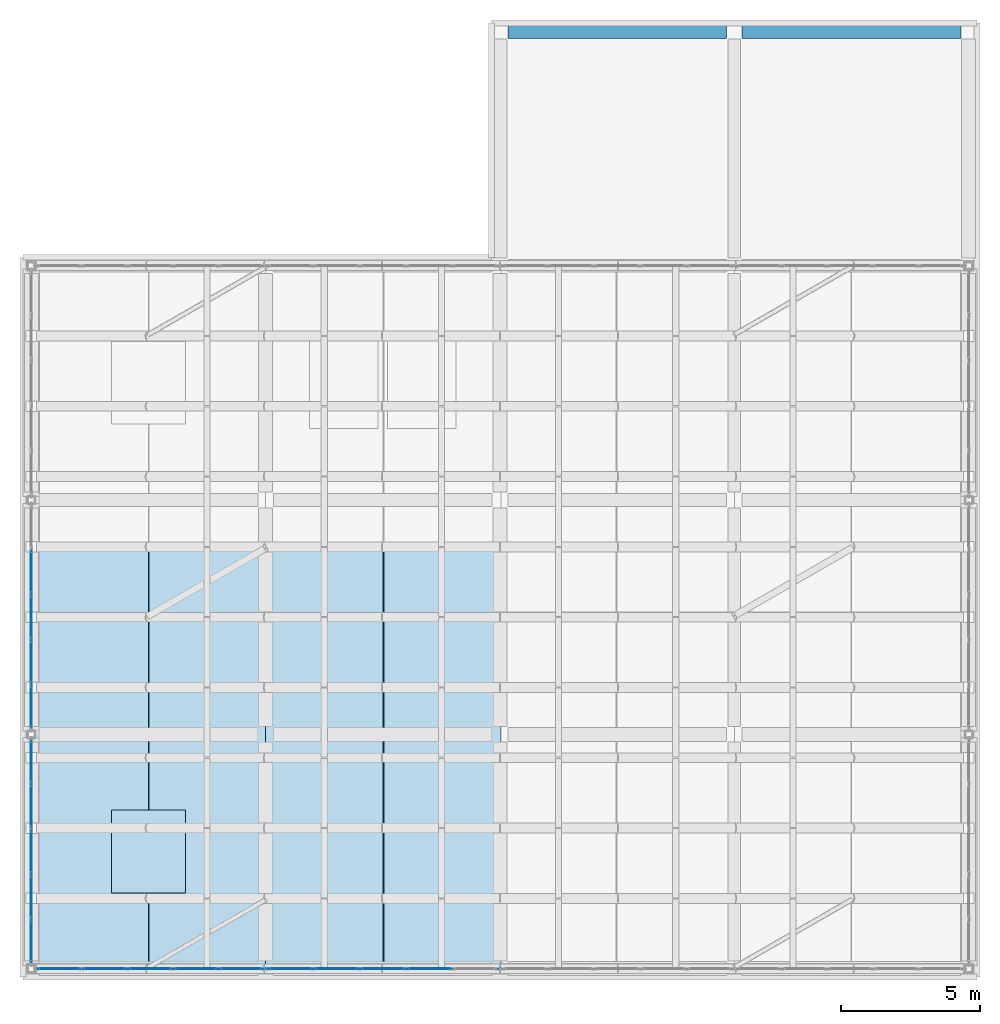
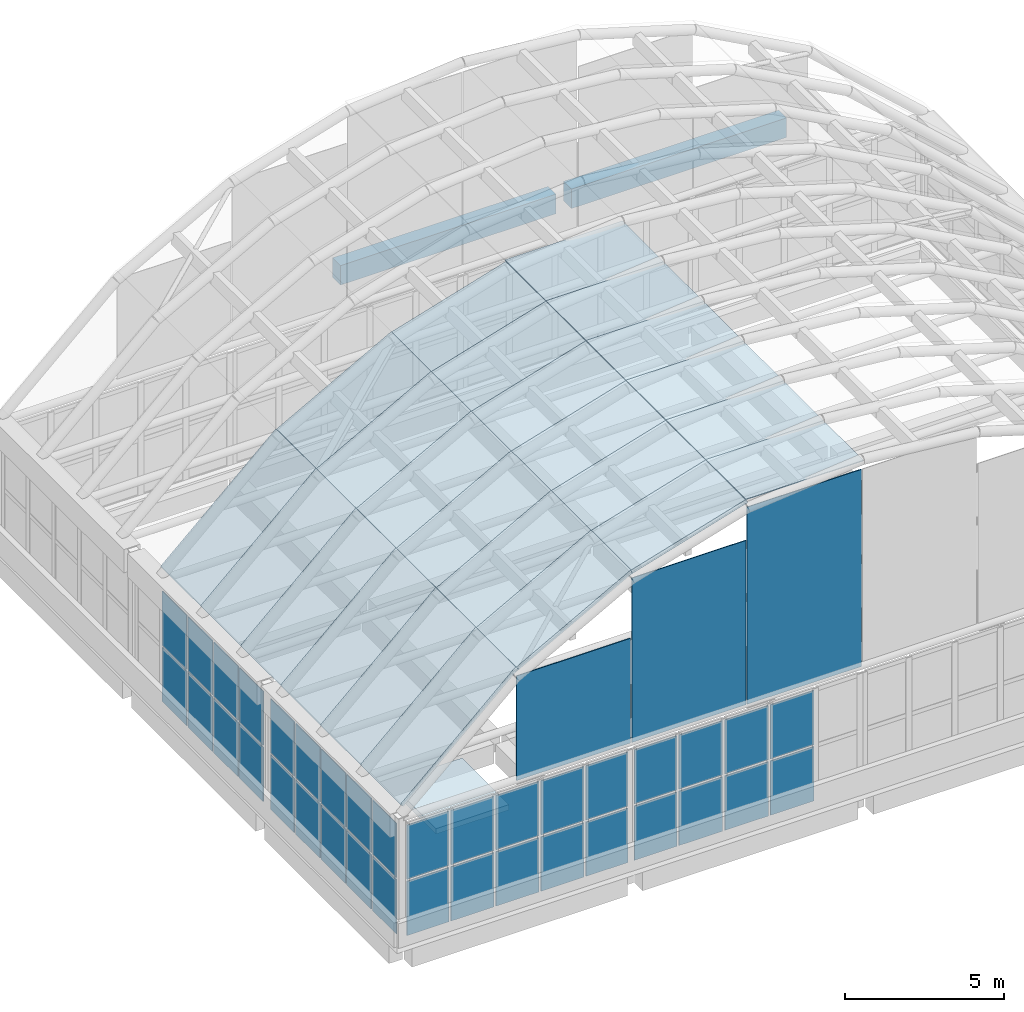
# One storey, part 22 of 26: 45 plates, 19 slabs, 2 beams, 4 elements without a shape of their own.
"""IFC4 building model written with IfcOpenShell, lengths in metres."""

from ifc_helpers import new_model, si_unit, direction, frame, origin, origin_2d, place, context, subcontext, project, spatial, polyline, rectangle, outline, extrude, material, layer, layer_set, material_profile, profile_set, type_object, element, aggregate, save


model = new_model("IFC4")

# Units and contexts
model_context = context("Model", 3, precision=1e-05, world=origin(), true_north=direction((0.0, 1.0)))
body_context = subcontext(model_context, "Body", "Model", "MODEL_VIEW")
ifc_project = project(units=[si_unit("LENGTHUNIT", "METRE"), si_unit("AREAUNIT", "SQUARE_METRE"), si_unit("VOLUMEUNIT", "CUBIC_METRE"), si_unit("PLANEANGLEUNIT", "RADIAN"), si_unit("MASSUNIT", "GRAM", prefix="KILO")], contexts=[model_context])

# Site, building, storey
site_placement = place(None, origin())
site = spatial("IfcSite", under=ifc_project, at=site_placement, CompositionType="ELEMENT")
building_placement = place(site_placement, origin())
building = spatial("IfcBuilding", under=site, at=building_placement, Name="Xazarin Passage Department Store", CompositionType="ELEMENT")
storey_placement = place(building_placement, frame((0.0, 0.0, 36.89990234375)))
storey = spatial("IfcBuildingStorey", under=building, at=storey_placement, Name="RF", CompositionType="ELEMENT", Elevation=36.89990234375)

# Beams
ifc_material_1 = material(Name="Concrete C35/45", Category="concrete")
ifc_material_profile = material_profile(ifc_material_1, rectangle(XDim=0.5, YDim=0.75, at=origin_2d()), Name="RC 500x750")
ifc_profile_set = profile_set([ifc_material_profile], Name="Concrete C35/45")
beam_type = type_object("IfcBeamType", Name="STR-BM-SP500x750", PredefinedType="SPANDREL", material=ifc_profile_set)
beam_1_placement = place(storey_placement, frame((17.080078125, 110.0, -0.635009765625), z_axis=(1.0, 0.0, 0.0), x_axis=(0.0, 1.0, 0.0)))
element("IfcBeam", 1, at=beam_1_placement, inside=storey, type_object=beam_type, Name="RF Grid Beam Q/3-4", PredefinedType="SPANDREL", context=body_context, shape_type="SweptSolid", body=[
    extrude(rectangle(XDim=0.5, YDim=0.75, at=origin_2d()), origin(), (0.0, 0.0, 1.0), 7.83984375),
])
beam_2_placement = place(storey_placement, frame((25.47998046875, 110.0, -0.635009765625), z_axis=(1.0, 0.0, 0.0), x_axis=(0.0, 1.0, 0.0)))
element("IfcBeam", 2, at=beam_2_placement, inside=storey, type_object=beam_type, Name="RF Grid Beam Q/4-5", PredefinedType="SPANDREL", context=body_context, shape_type="SweptSolid", body=[
    extrude(rectangle(XDim=0.5, YDim=0.75, at=origin_2d()), origin(), (0.0, 0.0, 1.0), 7.840087890625),
])

# Curtain wall, plates
ifc_material_2 = material(Name="Bronze anodised aluminium", Category="aluminium")
ifc_layer_1 = layer(ifc_material_2, 0.199951171875)
ifc_layer_set_1 = layer_set([ifc_layer_1], Name="Bronze anodised aluminium")
curtain_wall_type = type_object("IfcCurtainWallType", Name="ARC-CW-VIT2", PredefinedType="NOTDEFINED", material=ifc_layer_set_1)
curtain_wall_1_placement = place(storey_placement, origin())
curtain_wall_1 = element("IfcCurtainWall", 3, at=curtain_wall_1_placement, inside=storey, type_object=curtain_wall_type, Name="RF V1 Atrium Lantern Curtain Wall 01", PredefinedType="NOTDEFINED")
ifc_material_3 = material(Name="Low-E laminated safety glass", Category="glass")
ifc_layer_2 = layer(ifc_material_3, 0.031982421875)
ifc_layer_set_2 = layer_set([ifc_layer_2], Name="Low-E laminated safety glass")
plate_type_1 = type_object("IfcPlateType", Name="ARC-CWP-GLZ32", PredefinedType="CURTAIN_PANEL", material=ifc_layer_set_2)
plate_1_placement = place(storey_placement, frame((0.0, 77.38671875, 0.0751953125), z_axis=(0.0, 0.0, 1.0), x_axis=(0.0, 1.0, 0.0)))
plate_1 = element("IfcPlate", 4, at=plate_1_placement, type_object=plate_type_1, Name="CW2 panel 1.1", PredefinedType="CURTAIN_PANEL", context=body_context, shape_type="SweptSolid", body=[
    extrude(rectangle(XDim=1.50341796875, YDim=0.031982421875, at=origin_2d()), origin(), (0.0, 0.0, 1.0), 2.089599609375),
])
plate_2_placement = place(storey_placement, frame((0.0, 77.38671875, 2.23974609375), z_axis=(0.0, 0.0, 1.0), x_axis=(0.0, 1.0, 0.0)))
plate_2 = element("IfcPlate", 5, at=plate_2_placement, type_object=plate_type_1, Name="CW2 panel 1.2", PredefinedType="CURTAIN_PANEL", context=body_context, shape_type="SweptSolid", body=[
    extrude(rectangle(XDim=1.50341796875, YDim=0.031982421875, at=origin_2d()), origin(), (0.0, 0.0, 1.0), 2.089599609375),
])
plate_3_placement = place(storey_placement, frame((0.0, 78.98388671875, 0.0751953125), z_axis=(0.0, 0.0, 1.0), x_axis=(0.0, 1.0, 0.0)))
plate_3 = element("IfcPlate", 6, at=plate_3_placement, type_object=plate_type_1, Name="CW2 panel 2.1", PredefinedType="CURTAIN_PANEL", context=body_context, shape_type="SweptSolid", body=[
    extrude(rectangle(XDim=1.541015625, YDim=0.031982421875, at=origin_2d()), origin(), (0.0, 0.0, 1.0), 2.089599609375),
])
plate_4_placement = place(storey_placement, frame((0.0, 78.98388671875, 2.23974609375), z_axis=(0.0, 0.0, 1.0), x_axis=(0.0, 1.0, 0.0)))
plate_4 = element("IfcPlate", 7, at=plate_4_placement, type_object=plate_type_1, Name="CW2 panel 2.2", PredefinedType="CURTAIN_PANEL", context=body_context, shape_type="SweptSolid", body=[
    extrude(rectangle(XDim=1.541015625, YDim=0.031982421875, at=origin_2d()), origin(), (0.0, 0.0, 1.0), 2.089599609375),
])
plate_5_placement = place(storey_placement, frame((0.0, 80.60009765625, 0.0751953125), z_axis=(0.0, 0.0, 1.0), x_axis=(0.0, 1.0, 0.0)))
plate_5 = element("IfcPlate", 8, at=plate_5_placement, type_object=plate_type_1, Name="CW2 panel 3.1", PredefinedType="CURTAIN_PANEL", context=body_context, shape_type="SweptSolid", body=[
    extrude(rectangle(XDim=1.541015625, YDim=0.031982421875, at=origin_2d()), origin(), (0.0, 0.0, 1.0), 2.089599609375),
])
plate_6_placement = place(storey_placement, frame((0.0, 80.60009765625, 2.23974609375), z_axis=(0.0, 0.0, 1.0), x_axis=(0.0, 1.0, 0.0)))
plate_6 = element("IfcPlate", 9, at=plate_6_placement, type_object=plate_type_1, Name="CW2 panel 3.2", PredefinedType="CURTAIN_PANEL", context=body_context, shape_type="SweptSolid", body=[
    extrude(rectangle(XDim=1.541015625, YDim=0.031982421875, at=origin_2d()), origin(), (0.0, 0.0, 1.0), 2.089599609375),
])
plate_7_placement = place(storey_placement, frame((0.0, 82.216064453125, 0.0751953125), z_axis=(0.0, 0.0, 1.0), x_axis=(0.0, 1.0, 0.0)))
plate_7 = element("IfcPlate", 10, at=plate_7_placement, type_object=plate_type_1, Name="CW2 panel 4.1", PredefinedType="CURTAIN_PANEL", context=body_context, shape_type="SweptSolid", body=[
    extrude(rectangle(XDim=1.541015625, YDim=0.031982421875, at=origin_2d()), origin(), (0.0, 0.0, 1.0), 2.089599609375),
])
plate_8_placement = place(storey_placement, frame((0.0, 82.216064453125, 2.23974609375), z_axis=(0.0, 0.0, 1.0), x_axis=(0.0, 1.0, 0.0)))
plate_8 = element("IfcPlate", 11, at=plate_8_placement, type_object=plate_type_1, Name="CW2 panel 4.2", PredefinedType="CURTAIN_PANEL", context=body_context, shape_type="SweptSolid", body=[
    extrude(rectangle(XDim=1.541015625, YDim=0.031982421875, at=origin_2d()), origin(), (0.0, 0.0, 1.0), 2.089599609375),
])
plate_9_placement = place(storey_placement, frame((0.0, 83.813232421875, 0.0751953125), z_axis=(0.0, 0.0, 1.0), x_axis=(0.0, 1.0, 0.0)))
plate_9 = element("IfcPlate", 12, at=plate_9_placement, type_object=plate_type_1, Name="CW2 panel 5.1", PredefinedType="CURTAIN_PANEL", context=body_context, shape_type="SweptSolid", body=[
    extrude(rectangle(XDim=1.50341796875, YDim=0.031982421875, at=origin_2d()), origin(), (0.0, 0.0, 1.0), 2.089599609375),
])
plate_10_placement = place(storey_placement, frame((0.0, 83.813232421875, 2.23974609375), z_axis=(0.0, 0.0, 1.0), x_axis=(0.0, 1.0, 0.0)))
plate_10 = element("IfcPlate", 13, at=plate_10_placement, type_object=plate_type_1, Name="CW2 panel 5.2", PredefinedType="CURTAIN_PANEL", context=body_context, shape_type="SweptSolid", body=[
    extrude(rectangle(XDim=1.50341796875, YDim=0.031982421875, at=origin_2d()), origin(), (0.0, 0.0, 1.0), 2.089599609375),
])
aggregate(curtain_wall_1, [plate_1, plate_2, plate_3, plate_4, plate_5, plate_6, plate_7, plate_8, plate_9, plate_10])

curtain_wall_2_placement = place(storey_placement, origin())
curtain_wall_2 = element("IfcCurtainWall", 14, at=curtain_wall_2_placement, inside=storey, type_object=curtain_wall_type, Name="RF V1 Atrium Lantern Curtain Wall 03", PredefinedType="NOTDEFINED")
plate_11_placement = place(storey_placement, frame((0.0, 85.786865234375, 0.0751953125), z_axis=(0.0, 0.0, 1.0), x_axis=(0.0, 1.0, 0.0)))
plate_11 = element("IfcPlate", 15, at=plate_11_placement, type_object=plate_type_1, Name="CW2 panel 1.1", PredefinedType="CURTAIN_PANEL", context=body_context, shape_type="SweptSolid", body=[
    extrude(rectangle(XDim=1.50341796875, YDim=0.031982421875, at=origin_2d()), origin(), (0.0, 0.0, 1.0), 2.089599609375),
])
plate_12_placement = place(storey_placement, frame((0.0, 85.786865234375, 2.23974609375), z_axis=(0.0, 0.0, 1.0), x_axis=(0.0, 1.0, 0.0)))
plate_12 = element("IfcPlate", 16, at=plate_12_placement, type_object=plate_type_1, Name="CW2 panel 1.2", PredefinedType="CURTAIN_PANEL", context=body_context, shape_type="SweptSolid", body=[
    extrude(rectangle(XDim=1.50341796875, YDim=0.031982421875, at=origin_2d()), origin(), (0.0, 0.0, 1.0), 2.089599609375),
])
plate_13_placement = place(storey_placement, frame((0.0, 87.384033203125, 0.0751953125), z_axis=(0.0, 0.0, 1.0), x_axis=(0.0, 1.0, 0.0)))
plate_13 = element("IfcPlate", 17, at=plate_13_placement, type_object=plate_type_1, Name="CW2 panel 2.1", PredefinedType="CURTAIN_PANEL", context=body_context, shape_type="SweptSolid", body=[
    extrude(rectangle(XDim=1.541015625, YDim=0.031982421875, at=origin_2d()), origin(), (0.0, 0.0, 1.0), 2.089599609375),
])
plate_14_placement = place(storey_placement, frame((0.0, 87.384033203125, 2.23974609375), z_axis=(0.0, 0.0, 1.0), x_axis=(0.0, 1.0, 0.0)))
plate_14 = element("IfcPlate", 18, at=plate_14_placement, type_object=plate_type_1, Name="CW2 panel 2.2", PredefinedType="CURTAIN_PANEL", context=body_context, shape_type="SweptSolid", body=[
    extrude(rectangle(XDim=1.541015625, YDim=0.031982421875, at=origin_2d()), origin(), (0.0, 0.0, 1.0), 2.089599609375),
])
plate_15_placement = place(storey_placement, frame((0.0, 89.0, 0.0751953125), z_axis=(0.0, 0.0, 1.0), x_axis=(0.0, 1.0, 0.0)))
plate_15 = element("IfcPlate", 19, at=plate_15_placement, type_object=plate_type_1, Name="CW2 panel 3.1", PredefinedType="CURTAIN_PANEL", context=body_context, shape_type="SweptSolid", body=[
    extrude(rectangle(XDim=1.541015625, YDim=0.031982421875, at=origin_2d()), origin(), (0.0, 0.0, 1.0), 2.089599609375),
])
plate_16_placement = place(storey_placement, frame((0.0, 89.0, 2.23974609375), z_axis=(0.0, 0.0, 1.0), x_axis=(0.0, 1.0, 0.0)))
plate_16 = element("IfcPlate", 20, at=plate_16_placement, type_object=plate_type_1, Name="CW2 panel 3.2", PredefinedType="CURTAIN_PANEL", context=body_context, shape_type="SweptSolid", body=[
    extrude(rectangle(XDim=1.541015625, YDim=0.031982421875, at=origin_2d()), origin(), (0.0, 0.0, 1.0), 2.089599609375),
])
plate_17_placement = place(storey_placement, frame((0.0, 90.615966796875, 0.0751953125), z_axis=(0.0, 0.0, 1.0), x_axis=(0.0, 1.0, 0.0)))
plate_17 = element("IfcPlate", 21, at=plate_17_placement, type_object=plate_type_1, Name="CW2 panel 4.1", PredefinedType="CURTAIN_PANEL", context=body_context, shape_type="SweptSolid", body=[
    extrude(rectangle(XDim=1.541015625, YDim=0.031982421875, at=origin_2d()), origin(), (0.0, 0.0, 1.0), 2.089599609375),
])
plate_18_placement = place(storey_placement, frame((0.0, 90.615966796875, 2.23974609375), z_axis=(0.0, 0.0, 1.0), x_axis=(0.0, 1.0, 0.0)))
plate_18 = element("IfcPlate", 22, at=plate_18_placement, type_object=plate_type_1, Name="CW2 panel 4.2", PredefinedType="CURTAIN_PANEL", context=body_context, shape_type="SweptSolid", body=[
    extrude(rectangle(XDim=1.541015625, YDim=0.031982421875, at=origin_2d()), origin(), (0.0, 0.0, 1.0), 2.089599609375),
])
aggregate(curtain_wall_2, [plate_11, plate_12, plate_13, plate_14, plate_15, plate_16, plate_17, plate_18])

curtain_wall_3_placement = place(storey_placement, origin())
curtain_wall_3 = element("IfcCurtainWall", 23, at=curtain_wall_3_placement, inside=storey, type_object=curtain_wall_type, Name="RF V1 Atrium Lantern Curtain Wall 07", PredefinedType="NOTDEFINED")
plate_19_placement = place(storey_placement, frame((0.998779296875, 76.39990234375, 0.0751953125), z_axis=(0.0, 0.0, 1.0), x_axis=(1.0, 0.0, 0.0)))
plate_19 = element("IfcPlate", 24, at=plate_19_placement, type_object=plate_type_1, Name="CW2 panel 1.1", PredefinedType="CURTAIN_PANEL", context=body_context, shape_type="SweptSolid", body=[
    extrude(rectangle(XDim=1.527587890625, YDim=0.031982421875, at=origin_2d()), origin(), (0.0, 0.0, 1.0), 2.089599609375),
])
plate_20_placement = place(storey_placement, frame((0.998779296875, 76.39990234375, 2.23974609375), z_axis=(0.0, 0.0, 1.0), x_axis=(1.0, 0.0, 0.0)))
plate_20 = element("IfcPlate", 25, at=plate_20_placement, type_object=plate_type_1, Name="CW2 panel 1.2", PredefinedType="CURTAIN_PANEL", context=body_context, shape_type="SweptSolid", body=[
    extrude(rectangle(XDim=1.527587890625, YDim=0.031982421875, at=origin_2d()), origin(), (0.0, 0.0, 1.0), 2.089599609375),
])
plate_21_placement = place(storey_placement, frame((2.6201171875, 76.39990234375, 0.0751953125), z_axis=(0.0, 0.0, 1.0), x_axis=(1.0, 0.0, 0.0)))
plate_21 = element("IfcPlate", 26, at=plate_21_placement, type_object=plate_type_1, Name="CW2 panel 2.1", PredefinedType="CURTAIN_PANEL", context=body_context, shape_type="SweptSolid", body=[
    extrude(rectangle(XDim=1.56494140625, YDim=0.031982421875, at=origin_2d()), origin(), (0.0, 0.0, 1.0), 2.089599609375),
])
plate_22_placement = place(storey_placement, frame((2.6201171875, 76.39990234375, 2.23974609375), z_axis=(0.0, 0.0, 1.0), x_axis=(1.0, 0.0, 0.0)))
plate_22 = element("IfcPlate", 27, at=plate_22_placement, type_object=plate_type_1, Name="CW2 panel 2.2", PredefinedType="CURTAIN_PANEL", context=body_context, shape_type="SweptSolid", body=[
    extrude(rectangle(XDim=1.56494140625, YDim=0.031982421875, at=origin_2d()), origin(), (0.0, 0.0, 1.0), 2.089599609375),
])
plate_23_placement = place(storey_placement, frame((4.260009765625, 76.39990234375, 0.0751953125), z_axis=(0.0, 0.0, 1.0), x_axis=(1.0, 0.0, 0.0)))
plate_23 = element("IfcPlate", 28, at=plate_23_placement, type_object=plate_type_1, Name="CW2 panel 3.1", PredefinedType="CURTAIN_PANEL", context=body_context, shape_type="SweptSolid", body=[
    extrude(rectangle(XDim=1.56494140625, YDim=0.031982421875, at=origin_2d()), origin(), (0.0, 0.0, 1.0), 2.089599609375),
])
plate_24_placement = place(storey_placement, frame((4.260009765625, 76.39990234375, 2.23974609375), z_axis=(0.0, 0.0, 1.0), x_axis=(1.0, 0.0, 0.0)))
plate_24 = element("IfcPlate", 29, at=plate_24_placement, type_object=plate_type_1, Name="CW2 panel 3.2", PredefinedType="CURTAIN_PANEL", context=body_context, shape_type="SweptSolid", body=[
    extrude(rectangle(XDim=1.56494140625, YDim=0.031982421875, at=origin_2d()), origin(), (0.0, 0.0, 1.0), 2.089599609375),
])
plate_25_placement = place(storey_placement, frame((5.89990234375, 76.39990234375, 0.0751953125), z_axis=(0.0, 0.0, 1.0), x_axis=(1.0, 0.0, 0.0)))
plate_25 = element("IfcPlate", 30, at=plate_25_placement, type_object=plate_type_1, Name="CW2 panel 4.1", PredefinedType="CURTAIN_PANEL", context=body_context, shape_type="SweptSolid", body=[
    extrude(rectangle(XDim=1.56494140625, YDim=0.031982421875, at=origin_2d()), origin(), (0.0, 0.0, 1.0), 2.089599609375),
])
plate_26_placement = place(storey_placement, frame((5.89990234375, 76.39990234375, 2.23974609375), z_axis=(0.0, 0.0, 1.0), x_axis=(1.0, 0.0, 0.0)))
plate_26 = element("IfcPlate", 31, at=plate_26_placement, type_object=plate_type_1, Name="CW2 panel 4.2", PredefinedType="CURTAIN_PANEL", context=body_context, shape_type="SweptSolid", body=[
    extrude(rectangle(XDim=1.56494140625, YDim=0.031982421875, at=origin_2d()), origin(), (0.0, 0.0, 1.0), 2.089599609375),
])
plate_27_placement = place(storey_placement, frame((7.521240234375, 76.39990234375, 0.0751953125), z_axis=(0.0, 0.0, 1.0), x_axis=(1.0, 0.0, 0.0)))
plate_27 = element("IfcPlate", 32, at=plate_27_placement, type_object=plate_type_1, Name="CW2 panel 5.1", PredefinedType="CURTAIN_PANEL", context=body_context, shape_type="SweptSolid", body=[
    extrude(rectangle(XDim=1.527587890625, YDim=0.031982421875, at=origin_2d()), origin(), (0.0, 0.0, 1.0), 2.089599609375),
])
plate_28_placement = place(storey_placement, frame((7.521240234375, 76.39990234375, 2.23974609375), z_axis=(0.0, 0.0, 1.0), x_axis=(1.0, 0.0, 0.0)))
plate_28 = element("IfcPlate", 33, at=plate_28_placement, type_object=plate_type_1, Name="CW2 panel 5.2", PredefinedType="CURTAIN_PANEL", context=body_context, shape_type="SweptSolid", body=[
    extrude(rectangle(XDim=1.527587890625, YDim=0.031982421875, at=origin_2d()), origin(), (0.0, 0.0, 1.0), 2.089599609375),
])
aggregate(curtain_wall_3, [plate_19, plate_20, plate_21, plate_22, plate_23, plate_24, plate_25, plate_26, plate_27, plate_28])

curtain_wall_4_placement = place(storey_placement, origin())
curtain_wall_4 = element("IfcCurtainWall", 34, at=curtain_wall_4_placement, inside=storey, type_object=curtain_wall_type, Name="RF V1 Atrium Lantern Curtain Wall 09", PredefinedType="NOTDEFINED")
plate_29_placement = place(storey_placement, frame((9.290771484375, 76.39990234375, 0.0751953125), z_axis=(0.0, 0.0, 1.0), x_axis=(1.0, 0.0, 0.0)))
plate_29 = element("IfcPlate", 35, at=plate_29_placement, type_object=plate_type_1, Name="CW2 panel 1.1", PredefinedType="CURTAIN_PANEL", context=body_context, shape_type="SweptSolid", body=[
    extrude(rectangle(XDim=1.551513671875, YDim=0.031982421875, at=origin_2d()), origin(), (0.0, 0.0, 1.0), 2.089599609375),
])
plate_30_placement = place(storey_placement, frame((9.290771484375, 76.39990234375, 2.23974609375), z_axis=(0.0, 0.0, 1.0), x_axis=(1.0, 0.0, 0.0)))
plate_30 = element("IfcPlate", 36, at=plate_30_placement, type_object=plate_type_1, Name="CW2 panel 1.2", PredefinedType="CURTAIN_PANEL", context=body_context, shape_type="SweptSolid", body=[
    extrude(rectangle(XDim=1.551513671875, YDim=0.031982421875, at=origin_2d()), origin(), (0.0, 0.0, 1.0), 2.089599609375),
])
plate_31_placement = place(storey_placement, frame((10.93603515625, 76.39990234375, 0.0751953125), z_axis=(0.0, 0.0, 1.0), x_axis=(1.0, 0.0, 0.0)))
plate_31 = element("IfcPlate", 37, at=plate_31_placement, type_object=plate_type_1, Name="CW2 panel 2.1", PredefinedType="CURTAIN_PANEL", context=body_context, shape_type="SweptSolid", body=[
    extrude(rectangle(XDim=1.589111328125, YDim=0.031982421875, at=origin_2d()), origin(), (0.0, 0.0, 1.0), 2.089599609375),
])
plate_32_placement = place(storey_placement, frame((10.93603515625, 76.39990234375, 2.23974609375), z_axis=(0.0, 0.0, 1.0), x_axis=(1.0, 0.0, 0.0)))
plate_32 = element("IfcPlate", 38, at=plate_32_placement, type_object=plate_type_1, Name="CW2 panel 2.2", PredefinedType="CURTAIN_PANEL", context=body_context, shape_type="SweptSolid", body=[
    extrude(rectangle(XDim=1.589111328125, YDim=0.031982421875, at=origin_2d()), origin(), (0.0, 0.0, 1.0), 2.089599609375),
])
plate_33_placement = place(storey_placement, frame((12.60009765625, 76.39990234375, 0.0751953125), z_axis=(0.0, 0.0, 1.0), x_axis=(1.0, 0.0, 0.0)))
plate_33 = element("IfcPlate", 39, at=plate_33_placement, type_object=plate_type_1, Name="CW2 panel 3.1", PredefinedType="CURTAIN_PANEL", context=body_context, shape_type="SweptSolid", body=[
    extrude(rectangle(XDim=1.589111328125, YDim=0.031982421875, at=origin_2d()), origin(), (0.0, 0.0, 1.0), 2.089599609375),
])
plate_34_placement = place(storey_placement, frame((12.60009765625, 76.39990234375, 2.23974609375), z_axis=(0.0, 0.0, 1.0), x_axis=(1.0, 0.0, 0.0)))
plate_34 = element("IfcPlate", 40, at=plate_34_placement, type_object=plate_type_1, Name="CW2 panel 3.2", PredefinedType="CURTAIN_PANEL", context=body_context, shape_type="SweptSolid", body=[
    extrude(rectangle(XDim=1.589111328125, YDim=0.031982421875, at=origin_2d()), origin(), (0.0, 0.0, 1.0), 2.089599609375),
])
plate_35_placement = place(storey_placement, frame((14.263916015625, 76.39990234375, 0.0751953125), z_axis=(0.0, 0.0, 1.0), x_axis=(1.0, 0.0, 0.0)))
plate_35 = element("IfcPlate", 41, at=plate_35_placement, type_object=plate_type_1, Name="CW2 panel 4.1", PredefinedType="CURTAIN_PANEL", context=body_context, shape_type="SweptSolid", body=[
    extrude(rectangle(XDim=1.589111328125, YDim=0.031982421875, at=origin_2d()), origin(), (0.0, 0.0, 1.0), 2.089599609375),
])
plate_36_placement = place(storey_placement, frame((14.263916015625, 76.39990234375, 2.23974609375), z_axis=(0.0, 0.0, 1.0), x_axis=(1.0, 0.0, 0.0)))
plate_36 = element("IfcPlate", 42, at=plate_36_placement, type_object=plate_type_1, Name="CW2 panel 4.2", PredefinedType="CURTAIN_PANEL", context=body_context, shape_type="SweptSolid", body=[
    extrude(rectangle(XDim=1.589111328125, YDim=0.031982421875, at=origin_2d()), origin(), (0.0, 0.0, 1.0), 2.089599609375),
])
aggregate(curtain_wall_4, [plate_29, plate_30, plate_31, plate_32, plate_33, plate_34, plate_35, plate_36])

# Plates
ifc_layer_3 = layer(ifc_material_3, 0.031982421875)
ifc_layer_set_3 = layer_set([ifc_layer_3], Name="Low-E laminated safety glass")
plate_type_2 = type_object("IfcPlateType", Name="ARC-PLT-VGLZ32", PredefinedType="SHEET", material=ifc_layer_set_3)
plate_37_placement = place(storey_placement, frame((6.300048828125, 76.39990234375, 4.64453125), z_axis=(0.0, 0.0, 1.0), x_axis=(1.0, 0.0, 0.0)))
element("IfcPlate", 43, at=plate_37_placement, inside=storey, type_object=plate_type_2, Name="V1V Glazed Gable Tympanum Panel 1.2", PredefinedType="SHEET", context=body_context, shape_type="SweptSolid", body=[
    extrude(rectangle(XDim=4.159912109375, YDim=0.031982421875, at=origin_2d()), origin(), (0.0, 0.0, 1.0), 4.030029296875),
])
plate_38_placement = place(storey_placement, frame((10.5, 76.39990234375, 4.644287109375), z_axis=(0.0, 0.0, 1.0), x_axis=(1.0, 0.0, 0.0)))
element("IfcPlate", 44, at=plate_38_placement, inside=storey, type_object=plate_type_2, Name="V1V Glazed Gable Tympanum Panel 1.3", PredefinedType="SHEET", context=body_context, shape_type="SweptSolid", body=[
    extrude(rectangle(XDim=4.159912109375, YDim=0.031982421875, at=origin_2d()), origin(), (0.0, 0.0, 1.0), 6.3291015625),
])
plate_39_placement = place(storey_placement, frame((14.699951171875, 76.39990234375, 4.64404296875), z_axis=(0.0, 0.0, 1.0), x_axis=(1.0, 0.0, 0.0)))
element("IfcPlate", 45, at=plate_39_placement, inside=storey, type_object=plate_type_2, Name="V1V Glazed Gable Tympanum Panel 1.4", PredefinedType="SHEET", context=body_context, shape_type="SweptSolid", body=[
    extrude(rectangle(XDim=4.159912109375, YDim=0.031982421875, at=origin_2d()), origin(), (0.0, 0.0, 1.0), 7.591064453125),
])
for number, where, z_axis, x_axis, name in (
    (46, (14.699951171875, 77.659912109375, 12.54736328125), (0.0, 0.0, 1.0), (1.0, 0.0, 0.0), "V1V Crown Skylight Glazing Panel 1.4"),
    (47, (14.699951171875, 80.179931640625, 12.54736328125), (0.0, 0.0, 1.0), (1.0, 0.0, 0.0), "V1V Crown Skylight Glazing Panel 2.4"),
    (48, (14.699951171875, 82.699951171875, 12.54736328125), (0.0, 0.0, 1.0), (1.0, 0.0, 0.0), "V1V Crown Skylight Glazing Panel 3.4"),
    (49, (14.699951171875, 85.219970703125, 12.54736328125), (0.0, 0.0, 1.0), (1.0, 0.0, 0.0), "V1V Crown Skylight Glazing Panel 4.4"),
    (50, (14.699951171875, 87.739990234375, 12.54736328125), (0.0, 0.0, 1.0), (1.0, 0.0, 0.0), "V1V Crown Skylight Glazing Panel 5.4"),
    (51, (14.699951171875, 90.260009765625, 12.54736328125), (0.0, 0.0, 1.0), (1.0, 0.0, 0.0), "V1V Crown Skylight Glazing Panel 6.4"),
):
    element("IfcPlate", number, at=place(storey_placement, frame(where, z_axis=z_axis, x_axis=x_axis)), inside=storey, type_object=plate_type_2, Name=name, PredefinedType="SHEET", context=body_context, shape_type="SweptSolid", body=[
        extrude(rectangle(XDim=4.280029296875, YDim=2.60009765625, at=origin_2d()), origin(), (0.0, 0.0, 1.0), 0.031982421875),
    ])

# Slabs
ifc_layer_4 = layer(ifc_material_1, 0.2099609375)
ifc_layer_set_4 = layer_set([ifc_layer_4], Name="Concrete C35/45")
slab_type_1 = type_object("IfcSlabType", Name="STR-SLB-OVR210", PredefinedType="ROOF", material=ifc_layer_set_4)
slab_1_placement = place(storey_placement, frame((0.0, 0.0, 1.400146484375)))
element("IfcSlab", 52, at=slab_1_placement, inside=storey, type_object=slab_type_1, Name="Lift PL1 Overrun Roof Slab", PredefinedType="ROOF", context=body_context, shape_type="SweptSolid", body=[
    extrude(outline(polyline([(2.8701171875, 79.1201171875), (5.530029296875, 79.1201171875), (5.530029296875, 82.080078125), (2.8701171875, 82.080078125), (2.8701171875, 79.1201171875)])), origin(), (0.0, 0.0, 1.0), 0.2099609375),
])
ifc_material_4 = material(Name="Concrete C40/50", Category="concrete")
ifc_layer_5 = layer(ifc_material_4, 0.239990234375)
ifc_layer_set_5 = layer_set([ifc_layer_5], Name="Concrete C40/50")
slab_type_2 = type_object("IfcSlabType", Name="STR-SLB-SHL240", PredefinedType="ROOF", material=ifc_layer_set_5)
slab_2_placement = place(storey_placement, frame((0.0, 76.39990234375, 5.20068359375), z_axis=(-0.673822146985, 0.0, 0.738893574361), x_axis=(0.738893574361, 0.0, 0.673822146985)))
element("IfcSlab", 53, at=slab_2_placement, inside=storey, type_object=slab_type_2, Name="V1V Vaulted Roof Deck Facet 1.1", PredefinedType="ROOF", context=body_context, shape_type="SweptSolid", body=[
    extrude(outline(polyline([(0.0, 0.0), (5.684108398837737, 0.0), (5.684108398837737, 2.52001953125), (0.0, 2.52001953125), (0.0, 0.0)])), origin(), (0.0, 0.0, -1.0), 0.159912109375),
])
slab_3_placement = place(storey_placement, frame((4.199951171875, 76.39990234375, 8.99658203125), z_axis=(-0.480130617978, 0.0, 0.877197007336), x_axis=(0.877197007336, 0.0, 0.480130617978)))
element("IfcSlab", 54, at=slab_3_placement, inside=storey, type_object=slab_type_2, Name="V1V Vaulted Roof Deck Facet 1.2", PredefinedType="ROOF", context=body_context, shape_type="SweptSolid", body=[
    extrude(outline(polyline([(0.0, 0.0), (4.787922367209519, 0.0), (4.787922367209519, 2.5200195312500004), (0.0, 2.5200195312500004), (0.0, 0.0)])), origin(), (0.0, 0.0, -1.0), 0.159912109375),
])
slab_4_placement = place(storey_placement, frame((8.39990234375, 76.39990234375, 11.2802734375), z_axis=(-0.287746216561, 0.0, 0.95770669563), x_axis=(0.95770669563, 0.0, 0.287746216561)))
element("IfcSlab", 55, at=slab_4_placement, inside=storey, type_object=slab_type_2, Name="V1V Vaulted Roof Deck Facet 1.3", PredefinedType="ROOF", context=body_context, shape_type="SweptSolid", body=[
    extrude(outline(polyline([(0.0, 0.0), (4.385680220953368, 0.0), (4.385680220953368, 2.52001953125), (0.0, 2.52001953125), (0.0, 0.0)])), origin(), (0.0, 0.0, -1.0), 0.159912109375),
])
slab_5_placement = place(storey_placement, frame((0.0, 78.919921875, 5.20068359375), z_axis=(-0.673822146985, 0.0, 0.738893574361), x_axis=(0.738893574361, 0.0, 0.673822146985)))
element("IfcSlab", 56, at=slab_5_placement, inside=storey, type_object=slab_type_2, Name="V1V Vaulted Roof Deck Facet 2.1", PredefinedType="ROOF", context=body_context, shape_type="SweptSolid", body=[
    extrude(outline(polyline([(0.0, 0.0), (5.684108398837737, 0.0), (5.684108398837737, 2.52001953125), (0.0, 2.52001953125), (0.0, 0.0)])), origin(), (0.0, 0.0, -1.0), 0.159912109375),
])
slab_6_placement = place(storey_placement, frame((4.199951171875, 78.919921875, 8.99658203125), z_axis=(-0.480130617978, 0.0, 0.877197007336), x_axis=(0.877197007336, 0.0, 0.480130617978)))
element("IfcSlab", 57, at=slab_6_placement, inside=storey, type_object=slab_type_2, Name="V1V Vaulted Roof Deck Facet 2.2", PredefinedType="ROOF", context=body_context, shape_type="SweptSolid", body=[
    extrude(outline(polyline([(0.0, 0.0), (4.787922367209519, 0.0), (4.787922367209519, 2.5200195312500004), (0.0, 2.5200195312500004), (0.0, 0.0)])), origin(), (0.0, 0.0, -1.0), 0.159912109375),
])
slab_7_placement = place(storey_placement, frame((8.39990234375, 78.919921875, 11.2802734375), z_axis=(-0.287746216561, 0.0, 0.95770669563), x_axis=(0.95770669563, 0.0, 0.287746216561)))
element("IfcSlab", 58, at=slab_7_placement, inside=storey, type_object=slab_type_2, Name="V1V Vaulted Roof Deck Facet 2.3", PredefinedType="ROOF", context=body_context, shape_type="SweptSolid", body=[
    extrude(outline(polyline([(0.0, 0.0), (4.385680220953368, 0.0), (4.385680220953368, 2.52001953125), (0.0, 2.52001953125), (0.0, 0.0)])), origin(), (0.0, 0.0, -1.0), 0.159912109375),
])
slab_8_placement = place(storey_placement, frame((0.0, 81.43994140625, 5.20068359375), z_axis=(-0.673822146985, 0.0, 0.738893574361), x_axis=(0.738893574361, 0.0, 0.673822146985)))
element("IfcSlab", 59, at=slab_8_placement, inside=storey, type_object=slab_type_2, Name="V1V Vaulted Roof Deck Facet 3.1", PredefinedType="ROOF", context=body_context, shape_type="SweptSolid", body=[
    extrude(outline(polyline([(0.0, 0.0), (5.684108398837737, 0.0), (5.684108398837737, 2.52001953125), (0.0, 2.52001953125), (0.0, 0.0)])), origin(), (0.0, 0.0, -1.0), 0.159912109375),
])
slab_9_placement = place(storey_placement, frame((4.199951171875, 81.43994140625, 8.99658203125), z_axis=(-0.480130617978, 0.0, 0.877197007336), x_axis=(0.877197007336, 0.0, 0.480130617978)))
element("IfcSlab", 60, at=slab_9_placement, inside=storey, type_object=slab_type_2, Name="V1V Vaulted Roof Deck Facet 3.2", PredefinedType="ROOF", context=body_context, shape_type="SweptSolid", body=[
    extrude(outline(polyline([(0.0, 0.0), (4.787922367209519, 0.0), (4.787922367209519, 2.5200195312500004), (0.0, 2.5200195312500004), (0.0, 0.0)])), origin(), (0.0, 0.0, -1.0), 0.159912109375),
])
slab_10_placement = place(storey_placement, frame((8.39990234375, 81.43994140625, 11.2802734375), z_axis=(-0.287746216561, 0.0, 0.95770669563), x_axis=(0.95770669563, 0.0, 0.287746216561)))
element("IfcSlab", 61, at=slab_10_placement, inside=storey, type_object=slab_type_2, Name="V1V Vaulted Roof Deck Facet 3.3", PredefinedType="ROOF", context=body_context, shape_type="SweptSolid", body=[
    extrude(outline(polyline([(0.0, 0.0), (4.385680220953368, 0.0), (4.385680220953368, 2.52001953125), (0.0, 2.52001953125), (0.0, 0.0)])), origin(), (0.0, 0.0, -1.0), 0.159912109375),
])
slab_11_placement = place(storey_placement, frame((0.0, 83.9599609375, 5.20068359375), z_axis=(-0.673822146985, 0.0, 0.738893574361), x_axis=(0.738893574361, 0.0, 0.673822146985)))
element("IfcSlab", 62, at=slab_11_placement, inside=storey, type_object=slab_type_2, Name="V1V Vaulted Roof Deck Facet 4.1", PredefinedType="ROOF", context=body_context, shape_type="SweptSolid", body=[
    extrude(outline(polyline([(0.0, 0.0), (5.684108398837737, 0.0), (5.684108398837737, 2.52001953125), (0.0, 2.52001953125), (0.0, 0.0)])), origin(), (0.0, 0.0, -1.0), 0.159912109375),
])
slab_12_placement = place(storey_placement, frame((4.199951171875, 83.9599609375, 8.99658203125), z_axis=(-0.480130617978, 0.0, 0.877197007336), x_axis=(0.877197007336, 0.0, 0.480130617978)))
element("IfcSlab", 63, at=slab_12_placement, inside=storey, type_object=slab_type_2, Name="V1V Vaulted Roof Deck Facet 4.2", PredefinedType="ROOF", context=body_context, shape_type="SweptSolid", body=[
    extrude(outline(polyline([(0.0, 0.0), (4.787922367209519, 0.0), (4.787922367209519, 2.5200195312500004), (0.0, 2.5200195312500004), (0.0, 0.0)])), origin(), (0.0, 0.0, -1.0), 0.159912109375),
])
slab_13_placement = place(storey_placement, frame((8.39990234375, 83.9599609375, 11.2802734375), z_axis=(-0.287746216561, 0.0, 0.95770669563), x_axis=(0.95770669563, 0.0, 0.287746216561)))
element("IfcSlab", 64, at=slab_13_placement, inside=storey, type_object=slab_type_2, Name="V1V Vaulted Roof Deck Facet 4.3", PredefinedType="ROOF", context=body_context, shape_type="SweptSolid", body=[
    extrude(outline(polyline([(0.0, 0.0), (4.385680220953368, 0.0), (4.385680220953368, 2.52001953125), (0.0, 2.52001953125), (0.0, 0.0)])), origin(), (0.0, 0.0, -1.0), 0.159912109375),
])
slab_14_placement = place(storey_placement, frame((0.0, 86.47998046875, 5.20068359375), z_axis=(-0.673822146985, 0.0, 0.738893574361), x_axis=(0.738893574361, 0.0, 0.673822146985)))
element("IfcSlab", 65, at=slab_14_placement, inside=storey, type_object=slab_type_2, Name="V1V Vaulted Roof Deck Facet 5.1", PredefinedType="ROOF", context=body_context, shape_type="SweptSolid", body=[
    extrude(outline(polyline([(0.0, 0.0), (5.684108398837737, 0.0), (5.684108398837737, 2.52001953125), (0.0, 2.52001953125), (0.0, 0.0)])), origin(), (0.0, 0.0, -1.0), 0.159912109375),
])
slab_15_placement = place(storey_placement, frame((4.199951171875, 86.47998046875, 8.99658203125), z_axis=(-0.480130617978, 0.0, 0.877197007336), x_axis=(0.877197007336, 0.0, 0.480130617978)))
element("IfcSlab", 66, at=slab_15_placement, inside=storey, type_object=slab_type_2, Name="V1V Vaulted Roof Deck Facet 5.2", PredefinedType="ROOF", context=body_context, shape_type="SweptSolid", body=[
    extrude(outline(polyline([(0.0, 0.0), (4.787922367209519, 0.0), (4.787922367209519, 2.5200195312500004), (0.0, 2.5200195312500004), (0.0, 0.0)])), origin(), (0.0, 0.0, -1.0), 0.159912109375),
])
slab_16_placement = place(storey_placement, frame((8.39990234375, 86.47998046875, 11.2802734375), z_axis=(-0.287746216561, 0.0, 0.95770669563), x_axis=(0.95770669563, 0.0, 0.287746216561)))
element("IfcSlab", 67, at=slab_16_placement, inside=storey, type_object=slab_type_2, Name="V1V Vaulted Roof Deck Facet 5.3", PredefinedType="ROOF", context=body_context, shape_type="SweptSolid", body=[
    extrude(outline(polyline([(0.0, 0.0), (4.385680220953368, 0.0), (4.385680220953368, 2.52001953125), (0.0, 2.52001953125), (0.0, 0.0)])), origin(), (0.0, 0.0, -1.0), 0.159912109375),
])
slab_17_placement = place(storey_placement, frame((0.0, 89.0, 5.20068359375), z_axis=(-0.673822146985, 0.0, 0.738893574361), x_axis=(0.738893574361, 0.0, 0.673822146985)))
element("IfcSlab", 68, at=slab_17_placement, inside=storey, type_object=slab_type_2, Name="V1V Vaulted Roof Deck Facet 6.1", PredefinedType="ROOF", context=body_context, shape_type="SweptSolid", body=[
    extrude(outline(polyline([(0.0, 0.0), (5.684108398837737, 0.0), (5.684108398837737, 2.52001953125), (0.0, 2.52001953125), (0.0, 0.0)])), origin(), (0.0, 0.0, -1.0), 0.159912109375),
])
slab_18_placement = place(storey_placement, frame((4.199951171875, 89.0, 8.99658203125), z_axis=(-0.480130617978, 0.0, 0.877197007336), x_axis=(0.877197007336, 0.0, 0.480130617978)))
element("IfcSlab", 69, at=slab_18_placement, inside=storey, type_object=slab_type_2, Name="V1V Vaulted Roof Deck Facet 6.2", PredefinedType="ROOF", context=body_context, shape_type="SweptSolid", body=[
    extrude(outline(polyline([(0.0, 0.0), (4.787922367209519, 0.0), (4.787922367209519, 2.5200195312500004), (0.0, 2.5200195312500004), (0.0, 0.0)])), origin(), (0.0, 0.0, -1.0), 0.159912109375),
])
slab_19_placement = place(storey_placement, frame((8.39990234375, 89.0, 11.2802734375), z_axis=(-0.287746216561, 0.0, 0.95770669563), x_axis=(0.95770669563, 0.0, 0.287746216561)))
element("IfcSlab", 70, at=slab_19_placement, inside=storey, type_object=slab_type_2, Name="V1V Vaulted Roof Deck Facet 6.3", PredefinedType="ROOF", context=body_context, shape_type="SweptSolid", body=[
    extrude(outline(polyline([(0.0, 0.0), (4.385680220953368, 0.0), (4.385680220953368, 2.52001953125), (0.0, 2.52001953125), (0.0, 0.0)])), origin(), (0.0, 0.0, -1.0), 0.159912109375),
])

save(model, "model.ifc")
